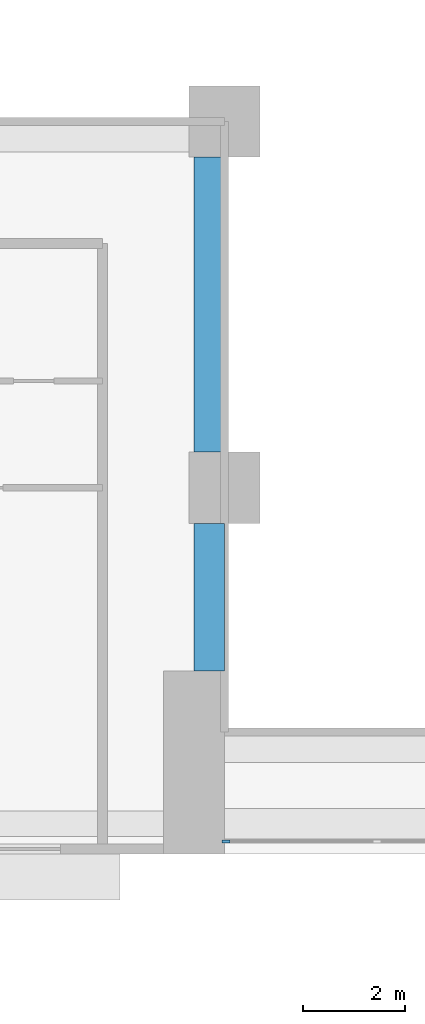
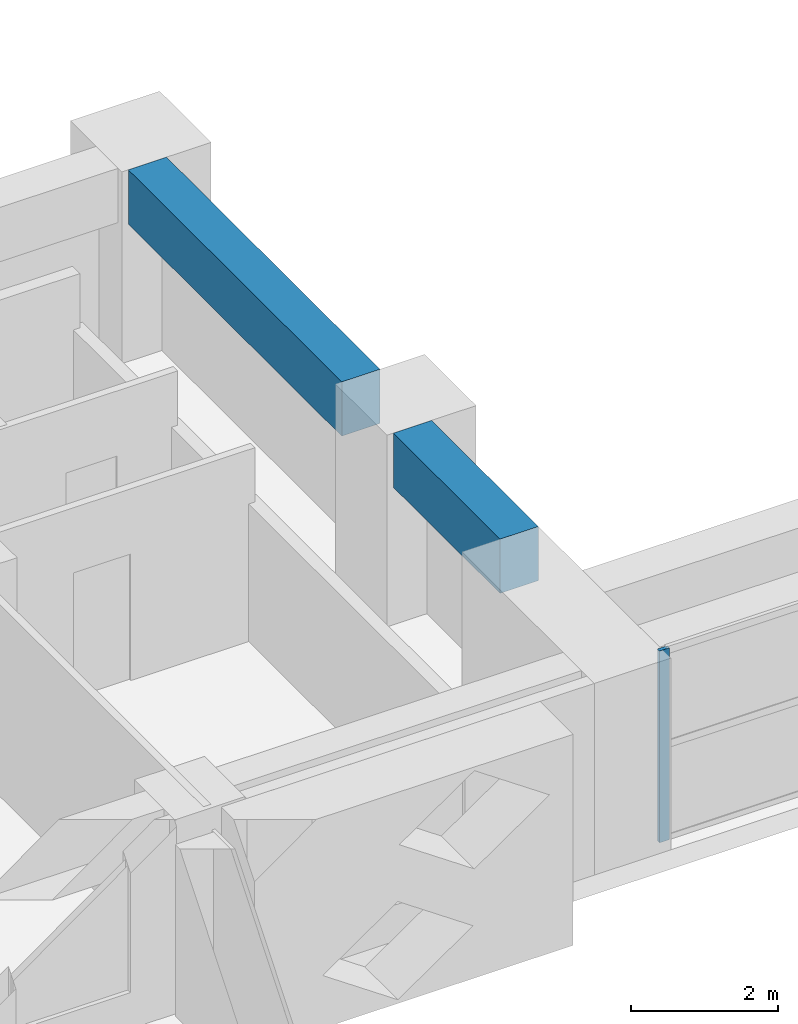
# One storey, part 2 of 17: 2 beams, 1 member, 1 element without a shape of its own.
"""IFC4 building model written with IfcOpenShell, lengths in metres."""

import ifcopenshell
import ifcopenshell.guid

model = None  # the IFC model being written
_history = None  # IfcOwnerHistory: only IFC2X3 demands one
_inside = {}  # id of a spatial element -> (the spatial element, [elements in it])
_under = {}  # id of a project, library or spatial element -> (it, [spatial elements below it])
_declared = {}  # id of a project -> (the project, [libraries it declares])
_typed = {}  # id of a type object -> (the type object, [elements of that type])
_made_of = {}  # id of a material, layer set ... -> (it, [elements and type objects made of it])


def new_model(schema):
    """Start an empty IFC model of exactly this schema.

    Asked for "IFC4X3", IfcOpenShell would pick the latest addendum, in which some entities
    have other attributes; the version numbers below select the first issue.
    IFC2X3 requires an IfcOwnerHistory on every rooted entity: one is made here for all.
    """
    global model, _history
    if schema == "IFC4X3":
        model = ifcopenshell.file(schema_version=(4, 3, 0, 0))
    else:
        model = ifcopenshell.file(schema=schema)
    _inside.clear()
    _under.clear()
    _declared.clear()
    _typed.clear()
    _made_of.clear()
    _history = None
    if model.schema == "IFC2X3":
        org = make("IfcOrganization", Name="unknown")
        user = make(
            "IfcPersonAndOrganization",
            ThePerson=make("IfcPerson", FamilyName="unknown"),
            TheOrganization=org,
        )
        app = make(
            "IfcApplication",
            ApplicationDeveloper=org,
            Version="unknown",
            ApplicationFullName="unknown",
            ApplicationIdentifier="unknown",
        )
        _history = make(
            "IfcOwnerHistory",
            OwningUser=user,
            OwningApplication=app,
            ChangeAction="ADDED",
            CreationDate=0,
        )
    return model


def make(cls, **values):
    """One entity of the class cls with the attributes given. An attribute that is None is left unset."""
    return model.create_entity(
        cls, **{name: value for name, value in values.items() if value is not None}
    )


def rooted(cls, **values):
    """An entity with a GlobalId (a new one), such as an element, a storey or a relation."""
    return make(cls, GlobalId=ifcopenshell.guid.new(), OwnerHistory=_history, **values)


def si_unit(unit_type, name, prefix=None):
    """IfcSIUnit, for example si_unit("LENGTHUNIT", "METRE", prefix="MILLI")."""
    return make("IfcSIUnit", UnitType=unit_type, Prefix=prefix, Name=name)


def assignment(units):
    """IfcUnitAssignment: the units of a project."""
    return None if units is None else make("IfcUnitAssignment", Units=units)


def point(xyz):
    """IfcCartesianPoint."""
    return None if xyz is None else make("IfcCartesianPoint", Coordinates=xyz)


def direction(xyz):
    """IfcDirection."""
    return None if xyz is None else make("IfcDirection", DirectionRatios=xyz)


def frame(location, z_axis=None, x_axis=None):
    """IfcAxis2Placement3D, a coordinate frame: its origin and axes. An axis left out is left unset."""
    return make(
        "IfcAxis2Placement3D",
        Location=point(location),
        Axis=direction(z_axis),
        RefDirection=direction(x_axis),
    )


def frame_2d(location, x_axis=None):
    """IfcAxis2Placement2D, a coordinate frame in the plane: its origin and x axis."""
    return make(
        "IfcAxis2Placement2D", Location=point(location), RefDirection=direction(x_axis)
    )


def origin():
    """The frame at (0, 0, 0) with its axes left unset."""
    return frame((0.0, 0.0, 0.0))


def origin_2d():
    """The frame at (0, 0) in the plane with its x axis left unset."""
    return frame_2d((0.0, 0.0))


def place(relative_to, where):
    """IfcLocalPlacement: puts the frame where relative to a parent placement (None: the world)."""
    return make(
        "IfcLocalPlacement", PlacementRelTo=relative_to, RelativePlacement=where
    )


def context(
    kind, dimensions, precision=None, world=None, true_north=None, identifier=None
):
    """IfcGeometricRepresentationContext, for example the 3D "Model" context."""
    return make(
        "IfcGeometricRepresentationContext",
        ContextIdentifier=identifier,
        ContextType=kind,
        CoordinateSpaceDimension=dimensions,
        Precision=precision,
        WorldCoordinateSystem=world,
        TrueNorth=true_north,
    )


def subcontext(parent, identifier, kind, view, scale=None):
    """IfcGeometricRepresentationSubContext, for example "Body" below "Model"."""
    return make(
        "IfcGeometricRepresentationSubContext",
        ContextIdentifier=identifier,
        ContextType=kind,
        ParentContext=parent,
        TargetScale=scale,
        TargetView=view,
    )


def project(units=None, contexts=None):
    """IfcProject with its units and contexts."""
    return rooted(
        "IfcProject",
        Name="project",
        RepresentationContexts=contexts,
        UnitsInContext=assignment(units),
    )


def spatial(cls, under=None, at=None, **own):
    """A site, building, storey or space (cls), placed at a placement, below another one or the project."""
    s = rooted(cls, ObjectPlacement=at, **own)
    if under is not None:
        _under.setdefault(under.id(), (under, []))[1].append(s)
    return s


def profile(cls, at=None, kind="AREA", **sizes):
    """A parametric profile (cls). Its sizes go by their IFC names, for example OverallWidth=200.0."""
    return make(cls, ProfileType=kind, Position=at, **sizes)


def rectangle(**sizes):
    """IfcRectangleProfileDef."""
    return profile("IfcRectangleProfileDef", **sizes)


def extrude(swept, where, along, depth):
    """IfcExtrudedAreaSolid: the profile swept, set in the frame where, extruded along a direction by depth."""
    return make(
        "IfcExtrudedAreaSolid",
        SweptArea=swept,
        Position=where,
        ExtrudedDirection=direction(along),
        Depth=depth,
    )


def shape(context_of_items, identifier, shape_type, items):
    """IfcShapeRepresentation: the items that make up one representation, for example the "Body"."""
    return make(
        "IfcShapeRepresentation",
        ContextOfItems=context_of_items,
        RepresentationIdentifier=identifier,
        RepresentationType=shape_type,
        Items=items,
    )


def source(mapping_origin, context_of_items, identifier, shape_type, items):
    """IfcRepresentationMap: a shape defined once, which mapped items show again and again."""
    return make(
        "IfcRepresentationMap",
        MappingOrigin=mapping_origin,
        MappedRepresentation=shape(context_of_items, identifier, shape_type, items),
    )


def transform(
    local_origin,
    x_axis=None,
    y_axis=None,
    z_axis=None,
    scale=None,
    scale2=None,
    scale3=None,
    uniform=True,
):
    """IfcCartesianTransformationOperator3D, or its non-uniform kind. x_axis, y_axis, z_axis: its Axis1, 2, 3."""
    if uniform:
        return make(
            "IfcCartesianTransformationOperator3D",
            Axis1=direction(x_axis),
            Axis2=direction(y_axis),
            LocalOrigin=point(local_origin),
            Scale=scale,
            Axis3=direction(z_axis),
        )
    return make(
        "IfcCartesianTransformationOperator3DnonUniform",
        Axis1=direction(x_axis),
        Axis2=direction(y_axis),
        LocalOrigin=point(local_origin),
        Scale=scale,
        Axis3=direction(z_axis),
        Scale2=scale2,
        Scale3=scale3,
    )


def mapped(mapping_source, mapping_target):
    """IfcMappedItem: shows the shape of a source again, moved by a transform."""
    return make(
        "IfcMappedItem", MappingSource=mapping_source, MappingTarget=mapping_target
    )


def material(Name=None, Category=None):
    """IfcMaterial."""
    return make("IfcMaterial", Name=Name, Category=Category)


def layer(
    of_material, thickness, ventilated=None, Name=None, Category=None, Priority=None
):
    """IfcMaterialLayer: one layer of a wall or slab, of a material (None: an air gap)."""
    return make(
        "IfcMaterialLayer",
        Material=of_material,
        LayerThickness=thickness,
        IsVentilated=ventilated,
        Name=Name,
        Category=Category,
        Priority=Priority,
    )


def layer_set(layers, Name=None):
    """IfcMaterialLayerSet."""
    return make("IfcMaterialLayerSet", MaterialLayers=layers, LayerSetName=Name)


def material_profile(
    of_material, cross_section, Name=None, Category=None, Priority=None
):
    """IfcMaterialProfile: a cross section and its material."""
    return make(
        "IfcMaterialProfile",
        Name=Name,
        Material=of_material,
        Profile=cross_section,
        Priority=Priority,
        Category=Category,
    )


def profile_set(profiles, Name=None, composite=None):
    """IfcMaterialProfileSet."""
    return make(
        "IfcMaterialProfileSet",
        Name=Name,
        MaterialProfiles=profiles,
        CompositeProfile=composite,
    )


def made_of(thing, what):
    """Note that an element or type object is made of a material, layer set ...; save() writes the relation."""
    if what is not None:
        _made_of.setdefault(what.id(), (what, []))[1].append(thing)
    return thing


def type_object(cls, material=None, **own):
    """A type object (cls), such as IfcWallType, which elements share."""
    return made_of(rooted(cls, **own), material)


def element(
    cls,
    number,
    at=None,
    inside=None,
    cuts=None,
    type_object=None,
    material=None,
    context=None,
    identifier="Body",
    shape_type=None,
    held_by="IfcProductDefinitionShape",
    body=None,
    shapes=None,
    **own,
):
    """One element of the class cls, such as IfcWall. Its Tag is "e" and its number.

    at: its placement. inside: the storey or other place that contains it. cuts: it is an
    opening in that element (IfcRelVoidsElement). A single representation is given by context,
    identifier, shape_type and body (its items); several are given by shapes. held_by: the class
    of the entity that holds the representations. save() writes the other relations.
    """
    e = rooted(cls, Tag="e%d" % number, ObjectPlacement=at, **own)
    if body is not None:
        shapes = [shape(context, identifier, shape_type, body)]
    if shapes is not None:
        e.Representation = make(held_by, Representations=shapes)
    if inside is not None:
        _inside.setdefault(inside.id(), (inside, []))[1].append(e)
    if cuts is not None:
        rooted(
            "IfcRelVoidsElement", RelatingBuildingElement=cuts, RelatedOpeningElement=e
        )
    if type_object is not None:
        _typed.setdefault(type_object.id(), (type_object, []))[1].append(e)
    return made_of(e, material)


def aggregate(whole, parts):
    """IfcRelAggregates: a whole, such as a stair, and the parts it consists of."""
    return rooted("IfcRelAggregates", RelatingObject=whole, RelatedObjects=parts)


def save(model, path):
    """Write the relations noted so far, then the file.

    IfcRelAggregates (storeys below a building ...), IfcRelContainedInSpatialStructure (elements
    in a storey), IfcRelDefinesByType, IfcRelAssociatesMaterial and IfcRelDeclares: one each for
    every whole, place, type object, material and project.
    """
    for whole, parts in _under.values():
        aggregate(whole, parts)
    for where, things in _inside.values():
        rooted(
            "IfcRelContainedInSpatialStructure",
            RelatedElements=things,
            RelatingStructure=where,
        )
    for kind, things in _typed.values():
        rooted("IfcRelDefinesByType", RelatedObjects=things, RelatingType=kind)
    for what, things in _made_of.values():
        rooted("IfcRelAssociatesMaterial", RelatedObjects=things, RelatingMaterial=what)
    for by, libraries in _declared.values():
        rooted("IfcRelDeclares", RelatingContext=by, RelatedDefinitions=libraries)
    model.write(path)


model = new_model("IFC4")

# Units and contexts
model_context = context("Model", 3, precision=1e-05, world=origin(), true_north=direction((0.0, 1.0)))
body_context = subcontext(model_context, "Body", "Model", "MODEL_VIEW")
ifc_project = project(units=[si_unit("LENGTHUNIT", "METRE"), si_unit("AREAUNIT", "SQUARE_METRE"), si_unit("VOLUMEUNIT", "CUBIC_METRE"), si_unit("PLANEANGLEUNIT", "RADIAN"), si_unit("MASSUNIT", "GRAM", prefix="KILO")], contexts=[model_context])

# Site, building, storey
site_placement = place(None, origin())
site = spatial("IfcSite", under=ifc_project, at=site_placement, CompositionType="ELEMENT")
building_placement = place(site_placement, origin())
building = spatial("IfcBuilding", under=site, at=building_placement, Name="Saffron Iwan Residences", CompositionType="ELEMENT")
storey_placement = place(building_placement, frame((0.0, 0.0, 55.0)))
storey = spatial("IfcBuildingStorey", under=building, at=storey_placement, Name="L13", CompositionType="ELEMENT", Elevation=55.0)

# Beams
ifc_material_1 = material(Name="Concrete C60/75", Category="concrete")
ifc_material_profile_1 = material_profile(ifc_material_1, rectangle(XDim=0.60009765625, YDim=0.89990234375, at=origin_2d()), Name="RC 600x900")
ifc_profile_set_1 = profile_set([ifc_material_profile_1], Name="Concrete C60/75")
beam_type = type_object("IfcBeamType", Name="BEAM RC 600x900 C60/75 TOP 3180", PredefinedType="BEAM", material=ifc_profile_set_1)
shared_shape_1 = source(origin(), body_context, "Body", "SweptSolid", [
    extrude(rectangle(XDim=0.60009765625, YDim=0.89990234375, at=origin_2d()), origin(), (0.0, 0.0, 1.0), 2.900146484375),
])
beam_1_placement = place(storey_placement, frame((42.89990234375, 37.199951171875, 2.72998046875), z_axis=(0.0, 1.0, 0.0), x_axis=(-1.0, 0.0, 0.0)))
element("IfcBeam", 1, at=beam_1_placement, inside=storey, type_object=beam_type, Name="Atrium edge beam", PredefinedType="BEAM", context=body_context, shape_type="MappedRepresentation", body=[
    mapped(shared_shape_1, transform((0.0, 0.0, 0.0))),
])
shared_shape_2 = source(origin(), body_context, "Body", "SweptSolid", [
    extrude(rectangle(XDim=0.60009765625, YDim=0.89990234375, at=origin_2d()), origin(), (0.0, 0.0, 1.0), 5.800048828125),
])
beam_2_placement = place(storey_placement, frame((42.89990234375, 41.5, 2.72998046875), z_axis=(0.0, 1.0, 0.0), x_axis=(-1.0, 0.0, 0.0)))
element("IfcBeam", 2, at=beam_2_placement, inside=storey, type_object=beam_type, Name="Atrium edge beam", PredefinedType="BEAM", context=body_context, shape_type="MappedRepresentation", body=[
    mapped(shared_shape_2, transform((0.0, 0.0, 0.0))),
])

# Curtain wall, member
ifc_material_2 = material(Name="Clear glass, laminated double glazed", Category="glass")
ifc_layer = layer(ifc_material_2, 0.199951171875)
ifc_layer_set = layer_set([ifc_layer], Name="Clear glass, laminated double glazed")
curtain_wall_type = type_object("IfcCurtainWallType", Name="CW-B IWAN PORTAL", PredefinedType="NOTDEFINED", material=ifc_layer_set)
curtain_wall_placement = place(storey_placement, origin())
curtain_wall = element("IfcCurtainWall", 3, at=curtain_wall_placement, inside=storey, type_object=curtain_wall_type, Name="Iwan portal glazing L13.1", PredefinedType="NOTDEFINED")
ifc_material_3 = material(Name="Aluminium 6063-T6", Category="aluminium")
ifc_material_profile_2 = material_profile(ifc_material_3, rectangle(XDim=0.06005859375, YDim=0.159912109375, at=origin_2d()), Name="CW-B MULLION 60 x 160")
ifc_profile_set_2 = profile_set([ifc_material_profile_2], Name="Aluminium 6063-T6")
member_type = type_object("IfcMemberType", Name="CW-B MULLION 60 x 160", PredefinedType="MULLION", material=ifc_profile_set_2)
shared_shape_3 = source(origin(), body_context, "Body", "SweptSolid", [
    extrude(rectangle(XDim=0.06005859375, YDim=0.159912109375, at=origin_2d()), origin(), (0.0, 0.0, 1.0), 3.179931640625),
])
member_placement = place(storey_placement, frame((43.22998046875, 33.85009765625, 0.0), z_axis=(0.0, 0.0, 1.0), x_axis=(0.0, 1.0, 0.0)))
member = element("IfcMember", 4, at=member_placement, type_object=member_type, Name="CW-B mullion 1", PredefinedType="MULLION", context=body_context, shape_type="MappedRepresentation", body=[
    mapped(shared_shape_3, transform((0.0, 0.0, 0.0))),
])
aggregate(curtain_wall, [member])

save(model, "model.ifc")
